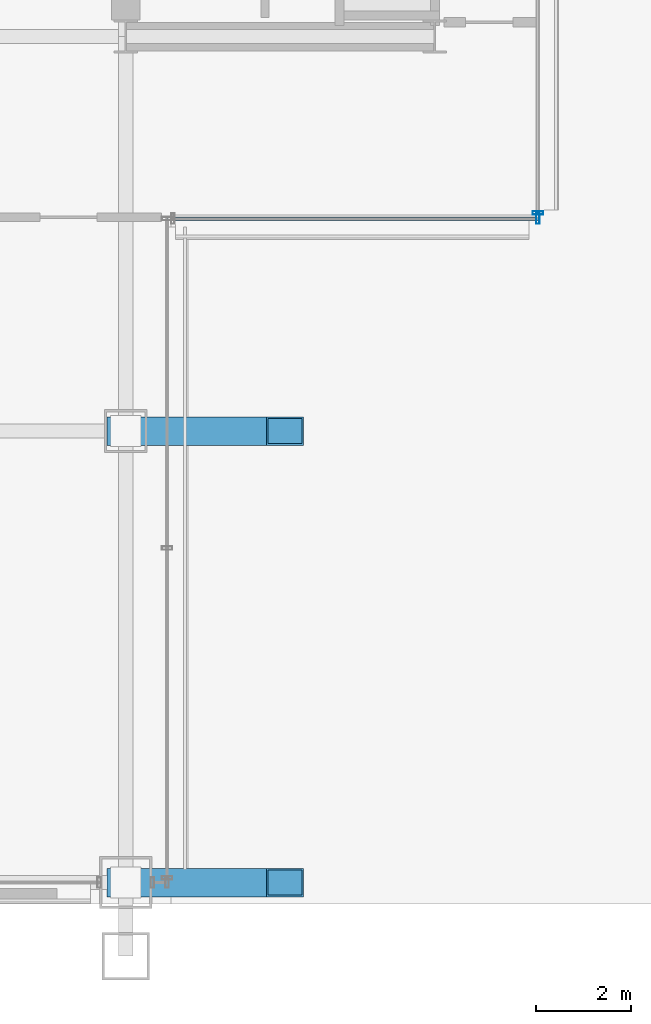
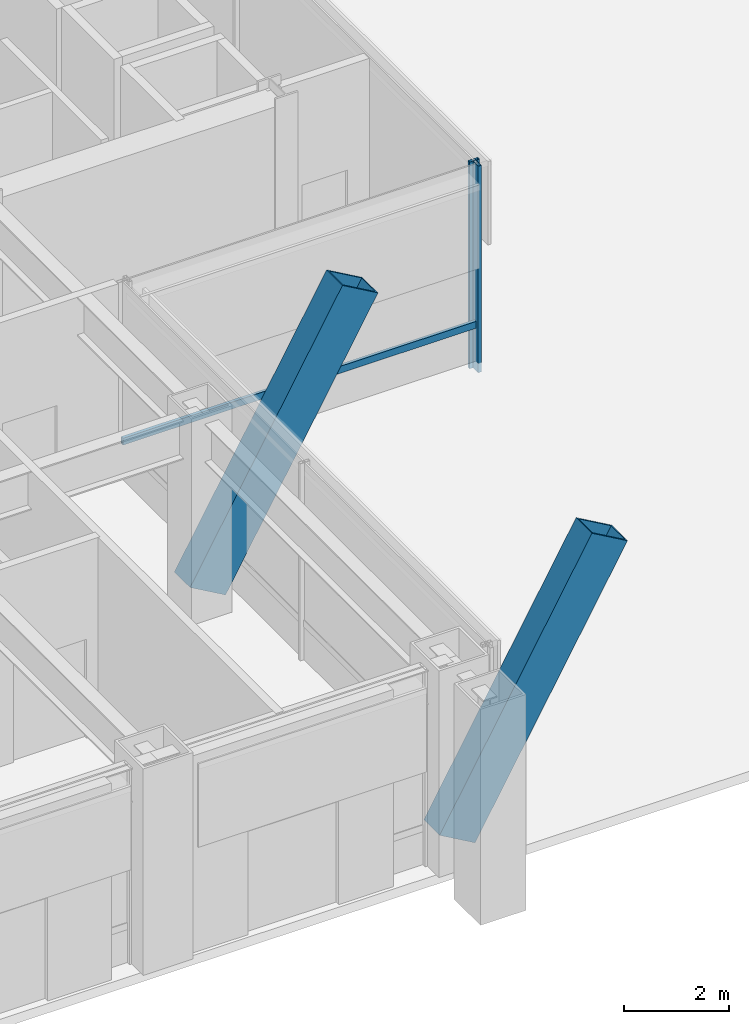
# One storey, part 4 of 37: 5 members, 2 elements without a shape of their own.
"""IFC4 building model written with IfcOpenShell, lengths in metres."""

from ifc_helpers import new_model, si_unit, direction, frame, origin, origin_2d, place, context, subcontext, project, spatial, hollow_rectangle, extrude, material, layer, layer_set, material_profile, profile_set, type_object, element, aggregate, save


model = new_model("IFC4")

# Units and contexts
model_context = context("Model", 3, precision=1e-05, world=origin(), true_north=direction((0.0, 1.0)))
body_context = subcontext(model_context, "Body", "Model", "MODEL_VIEW")
ifc_project = project(units=[si_unit("LENGTHUNIT", "METRE"), si_unit("AREAUNIT", "SQUARE_METRE"), si_unit("VOLUMEUNIT", "CUBIC_METRE"), si_unit("PLANEANGLEUNIT", "RADIAN"), si_unit("MASSUNIT", "GRAM", prefix="KILO")], contexts=[model_context])

# Site, building, storey
site_placement = place(None, origin())
site = spatial("IfcSite", under=ifc_project, at=site_placement, CompositionType="ELEMENT")
building_placement = place(site_placement, origin())
building = spatial("IfcBuilding", under=site, at=building_placement, Name="Brelmoor Portico Tower", CompositionType="ELEMENT")
storey_placement = place(building_placement, origin())
storey = spatial("IfcBuildingStorey", under=building, at=storey_placement, Name="L00", CompositionType="ELEMENT", Elevation=0.0)

# Members
ifc_material_1 = material(Name="Steel Q420B", Category="steel")
ifc_material_profile_1 = material_profile(ifc_material_1, hollow_rectangle(XDim=0.60009765625, YDim=0.89990234375, WallThickness=0.035888671875, at=origin_2d()), Name="RHS 600x900x36")
ifc_profile_set_1 = profile_set([ifc_material_profile_1], Name="Steel Q420B")
member_type_1 = type_object("IfcMemberType", Name="MB-ARCH-RIB", PredefinedType="CHORD", material=ifc_profile_set_1)
for number, where, z_axis, x_axis, name in (
    (1, (-14.550048828125, -27.550048828125, 0.550048828125), (0.496957759354, 0.0, 0.867774731954), (0.0, 1.0, 0.0), "Giant Portico Arch Rib S1-1"),
    (2, (-14.550048828125, -18.050048828125, 0.550048828125), (0.496957759354, 0.0, 0.867774731954), (0.0, 1.0, 0.0), "Giant Portico Arch Rib S2-1"),
):
    element("IfcMember", number, at=place(storey_placement, frame(where, z_axis=z_axis, x_axis=x_axis)), inside=storey, type_object=member_type_1, Name=name, PredefinedType="CHORD", context=body_context, shape_type="SweptSolid", body=[
        extrude(hollow_rectangle(XDim=0.60009765625, YDim=0.89990234375, WallThickness=0.035888671875, at=origin_2d()), origin(), (0.0, 0.0, 1.0), 6.7412109375),
    ])

# Curtain wall, member
ifc_material_2 = material(Name="Anodised Aluminium Alloy 6063-T6", Category="aluminium")
ifc_layer = layer(ifc_material_2, 0.179931640625)
ifc_layer_set = layer_set([ifc_layer], Name="Anodised Aluminium Alloy 6063-T6")
curtain_wall_type = type_object("IfcCurtainWallType", Name="CW-PODIUM-ARCH", PredefinedType="NOTDEFINED", material=ifc_layer_set)
curtain_wall_1_placement = place(storey_placement, origin())
curtain_wall_1 = element("IfcCurtainWall", 3, at=curtain_wall_1_placement, inside=storey, type_object=curtain_wall_type, Name="L00 Curtain Wall CW-L00-11", PredefinedType="NOTDEFINED")
ifc_material_profile_2 = material_profile(ifc_material_2, hollow_rectangle(XDim=0.074951171875, YDim=0.219970703125, WallThickness=0.0048828125, at=origin_2d()), Name="ALU MULLION 75x220")
ifc_profile_set_2 = profile_set([ifc_material_profile_2], Name="Anodised Aluminium Alloy 6063-T6")
member_type_2 = type_object("IfcMemberType", Name="MB-CW-MULL-220", PredefinedType="MULLION", material=ifc_profile_set_2)
member_1_placement = place(storey_placement, frame((-5.8798828125, -13.580078125, -0.219970703125), z_axis=(0.0, 0.0, 1.0), x_axis=(1.0, 0.0, 0.0)))
member_1 = element("IfcMember", 4, at=member_1_placement, type_object=member_type_2, Name="CW-L00-11 Mullion 01", PredefinedType="MULLION", context=body_context, shape_type="SweptSolid", body=[
    extrude(hollow_rectangle(XDim=0.074951171875, YDim=0.219970703125, WallThickness=0.0048828125, at=origin_2d()), origin(), (0.0, 0.0, 1.0), 4.800048828125),
])

curtain_wall_2_placement = place(storey_placement, origin())
curtain_wall_2 = element("IfcCurtainWall", 5, at=curtain_wall_2_placement, inside=storey, type_object=curtain_wall_type, Name="L00 Curtain Wall CW-L00-15", PredefinedType="NOTDEFINED")
member_2_placement = place(storey_placement, frame((-5.8798828125, -13.4599609375, -0.219970703125), z_axis=(0.0, 0.0, 1.0), x_axis=(0.0, 1.0, 0.0)))
member_2 = element("IfcMember", 6, at=member_2_placement, type_object=member_type_2, Name="CW-L00-15 Mullion 00", PredefinedType="MULLION", context=body_context, shape_type="SweptSolid", body=[
    extrude(hollow_rectangle(XDim=0.074951171875, YDim=0.219970703125, WallThickness=0.0048828125, at=origin_2d()), origin(), (0.0, 0.0, 1.0), 4.800048828125),
])
aggregate(curtain_wall_2, [member_2])

# Member
ifc_material_profile_3 = material_profile(ifc_material_2, hollow_rectangle(XDim=0.070068359375, YDim=0.159912109375, WallThickness=0.00390625, at=origin_2d()), Name="ALU TRANSOM 70x160")
ifc_profile_set_3 = profile_set([ifc_material_profile_3], Name="Anodised Aluminium Alloy 6063-T6")
member_type_3 = type_object("IfcMemberType", Name="MB-CW-TRAN-160", PredefinedType="USERDEFINED", material=ifc_profile_set_3)
member_3_placement = place(storey_placement, frame((-13.679931640625, -13.580078125, 0.85009765625), z_axis=(1.0, 0.0, 0.0), x_axis=(0.0, 1.0, 0.0)))
member_3 = element("IfcMember", 7, at=member_3_placement, type_object=member_type_3, Name="CW-L00-11 Transom 1-00", ObjectType="TRANSOM", PredefinedType="USERDEFINED", context=body_context, shape_type="SweptSolid", body=[
    extrude(hollow_rectangle(XDim=0.070068359375, YDim=0.159912109375, WallThickness=0.00390625, at=origin_2d()), origin(), (0.0, 0.0, 1.0), 7.800048828125),
])

aggregate(curtain_wall_1, [member_1, member_3])

save(model, "model.ifc")
